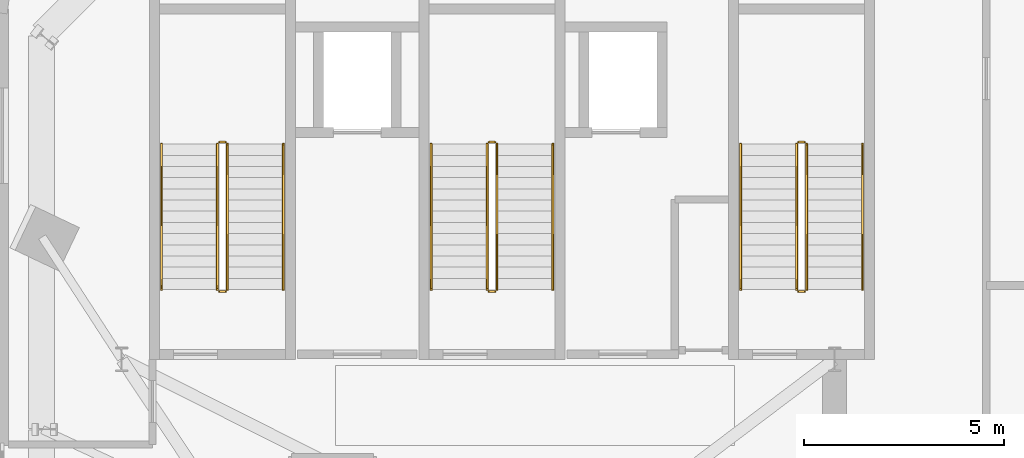
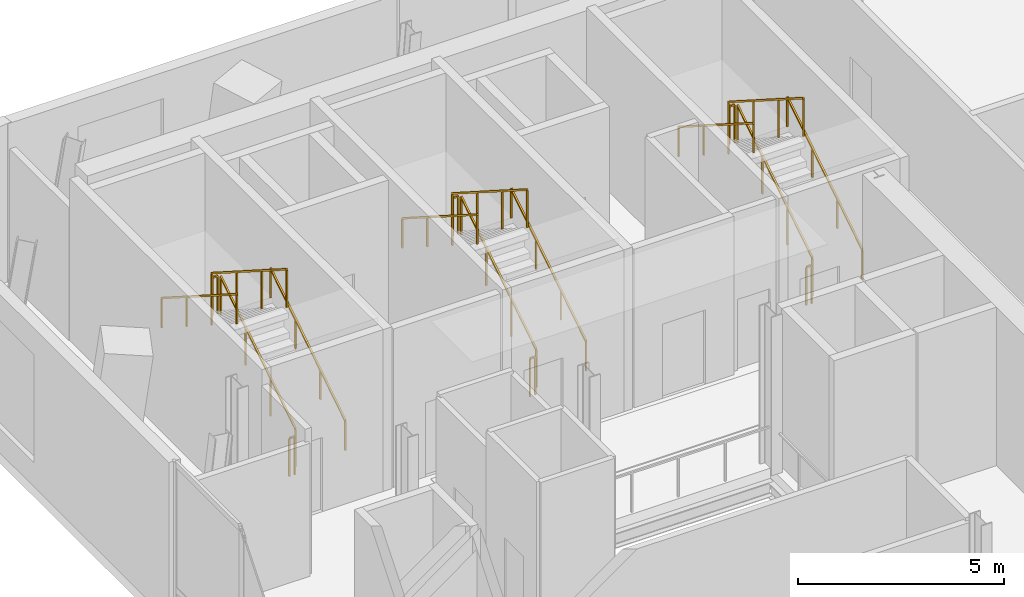
# One storey, part 10 of 11: 18 railings.
"""IFC4 building model written with IfcOpenShell, lengths in metres."""

from ifc_helpers import new_model, si_unit, direction, frame, origin, origin_2d, place, context, subcontext, project, spatial, rectangle, extrude, source, transform, mapped, material, type_object, element, save


model = new_model("IFC4")

# Units and contexts
model_context = context("Model", 3, precision=1e-05, world=origin(), true_north=direction((0.0, 1.0)))
body_context = subcontext(model_context, "Body", "Model", "MODEL_VIEW")
ifc_project = project(units=[si_unit("LENGTHUNIT", "METRE"), si_unit("AREAUNIT", "SQUARE_METRE"), si_unit("VOLUMEUNIT", "CUBIC_METRE"), si_unit("PLANEANGLEUNIT", "RADIAN"), si_unit("MASSUNIT", "GRAM", prefix="KILO")], contexts=[model_context])

# Site, building, storey
site_placement = place(None, origin())
site = spatial("IfcSite", under=ifc_project, at=site_placement, CompositionType="ELEMENT")
building_placement = place(site_placement, origin())
building = spatial("IfcBuilding", under=site, at=building_placement, Name="Vardaveli Station Tower", CompositionType="ELEMENT")
storey_placement = place(building_placement, frame((0.0, 0.0, 296.14990234375)))
storey = spatial("IfcBuildingStorey", under=building, at=storey_placement, Name="L75", CompositionType="ELEMENT", Elevation=296.14990234375)

# Railings
ifc_material = material(Name="Brushed AISI 316 stainless steel", Category="steel")
railing_type_1 = type_object("IfcRailingType", Name="RL-GUARD-1150", PredefinedType="GUARDRAIL", material=ifc_material)
shared_shape_1 = source(origin(), body_context, "Body", "SweptSolid", [
    extrude(rectangle(XDim=0.048095703125, YDim=0.048095703125, at=origin_2d()), frame((0.0, 0.0, 1.1259765625), z_axis=(-1.0, 0.0, 0.0), x_axis=(0.0, -1.0, 0.0)), (0.0, 0.0, 1.0), 0.14990234375),
    extrude(rectangle(XDim=0.0419921875, YDim=0.0419921875, at=origin_2d()), origin(), (0.0, 0.0, 1.0), 1.101806640625),
    extrude(rectangle(XDim=0.0419921875, YDim=0.0419921875, at=origin_2d()), frame((-0.14990234375, 0.0, 0.0)), (0.0, 0.0, 1.0), 1.101806640625),
])
for number, where, name in (
    (1, (31.25, 36.090087890625, 2.5), "L75 ST-1 stair guard 2"),
    (2, (31.25, 32.35009765625, 0.0), "L75 ST-1 stair guard 4"),
    (3, (38.0, 36.090087890625, 2.5), "L75 ST-2 stair guard 2"),
    (4, (38.0, 32.35009765625, 0.0), "L75 ST-2 stair guard 4"),
    (5, (45.75, 36.090087890625, 2.5), "L75 ST-3 stair guard 2"),
    (6, (45.75, 32.35009765625, 0.0), "L75 ST-3 stair guard 4"),
):
    element("IfcRailing", number, at=place(storey_placement, frame(where)), inside=storey, type_object=railing_type_1, Name=name, PredefinedType="GUARDRAIL", context=body_context, shape_type="MappedRepresentation", body=[
        mapped(shared_shape_1, transform((0.0, 0.0, 0.0), scale=1.0)),
    ])
shared_shape_2 = source(origin(), body_context, "Body", "SweptSolid", [
    extrude(rectangle(XDim=0.048095703125, YDim=0.048095703125, at=origin_2d()), frame((0.0, 0.0, 1.1259765625), z_axis=(0.0, 0.843153495434, 0.537672933239), x_axis=(-1.0, 0.0, 0.0)), (0.0, 0.0, 1.0), 4.3173828125),
    extrude(rectangle(XDim=0.0419921875, YDim=0.0419921875, at=origin_2d()), origin(), (0.0, 0.0, 1.0), 1.101806640625),
    extrude(rectangle(XDim=0.0419921875, YDim=0.0419921875, at=origin_2d()), frame((0.0, 1.21337890625, 0.773681640625)), (0.0, 0.0, 1.0), 1.101806640625),
    extrude(rectangle(XDim=0.0419921875, YDim=0.0419921875, at=origin_2d()), frame((0.0, 2.4267578125, 1.547607421875)), (0.0, 0.0, 1.0), 1.101806640625),
    extrude(rectangle(XDim=0.0419921875, YDim=0.0419921875, at=origin_2d()), frame((0.0, 3.64013671875, 2.3212890625)), (0.0, 0.0, 1.0), 1.101806640625),
])
for number, where, name in (
    (7, (31.300048828125, 32.39990234375, 0.1787109375), "L75 ST-1 stair guard 1"),
    (8, (38.050048828125, 32.39990234375, 0.1787109375), "L75 ST-2 stair guard 1"),
    (9, (45.800048828125, 32.39990234375, 0.1787109375), "L75 ST-3 stair guard 1"),
):
    element("IfcRailing", number, at=place(storey_placement, frame(where)), inside=storey, type_object=railing_type_1, Name=name, PredefinedType="GUARDRAIL", context=body_context, shape_type="MappedRepresentation", body=[
        mapped(shared_shape_2, transform((0.0, 0.0, 0.0), scale=1.0)),
    ])
shared_shape_3 = source(origin(), body_context, "Body", "SweptSolid", [
    extrude(rectangle(XDim=0.048095703125, YDim=0.048095703125, at=origin_2d()), frame((0.0, 0.0, 1.1259765625), z_axis=(0.0, -0.843153495434, 0.537672933239), x_axis=(1.0, 0.0, 0.0)), (0.0, 0.0, 1.0), 4.3173828125),
    extrude(rectangle(XDim=0.0419921875, YDim=0.0419921875, at=origin_2d()), origin(), (0.0, 0.0, 1.0), 1.101806640625),
    extrude(rectangle(XDim=0.0419921875, YDim=0.0419921875, at=origin_2d()), frame((0.0, -1.21337890625, 0.773681640625)), (0.0, 0.0, 1.0), 1.101806640625),
    extrude(rectangle(XDim=0.0419921875, YDim=0.0419921875, at=origin_2d()), frame((0.0, -2.4267578125, 1.547607421875)), (0.0, 0.0, 1.0), 1.101806640625),
    extrude(rectangle(XDim=0.0419921875, YDim=0.0419921875, at=origin_2d()), frame((0.0, -3.64013671875, 2.3212890625)), (0.0, 0.0, 1.0), 1.101806640625),
])
for number, where, name in (
    (10, (31.050048828125, 36.0400390625, 2.6787109375), "L75 ST-1 stair guard 3"),
    (11, (37.800048828125, 36.0400390625, 2.6787109375), "L75 ST-2 stair guard 3"),
    (12, (45.550048828125, 36.0400390625, 2.6787109375), "L75 ST-3 stair guard 3"),
):
    element("IfcRailing", number, at=place(storey_placement, frame(where)), inside=storey, type_object=railing_type_1, Name=name, PredefinedType="GUARDRAIL", context=body_context, shape_type="MappedRepresentation", body=[
        mapped(shared_shape_3, transform((0.0, 0.0, 0.0), scale=1.0)),
    ])
railing_type_2 = type_object("IfcRailingType", Name="RL-HAND-900", PredefinedType="HANDRAIL", material=ifc_material)
shared_shape_4 = source(origin(), body_context, "Body", "SweptSolid", [
    extrude(rectangle(XDim=0.048095703125, YDim=0.048095703125, at=origin_2d()), frame((0.0, 0.0, 0.8759765625), z_axis=(0.0, 0.843153495434, 0.537672933239), x_axis=(-1.0, 0.0, 0.0)), (0.0, 0.0, 1.0), 4.3173828125),
    extrude(rectangle(XDim=0.0419921875, YDim=0.0419921875, at=origin_2d()), origin(), (0.0, 0.0, 1.0), 0.851806640625),
    extrude(rectangle(XDim=0.0419921875, YDim=0.0419921875, at=origin_2d()), frame((0.0, 1.21337890625, 0.773681640625)), (0.0, 0.0, 1.0), 0.851806640625),
    extrude(rectangle(XDim=0.0419921875, YDim=0.0419921875, at=origin_2d()), frame((0.0, 2.4267578125, 1.547607421875)), (0.0, 0.0, 1.0), 0.851806640625),
    extrude(rectangle(XDim=0.0419921875, YDim=0.0419921875, at=origin_2d()), frame((0.0, 3.64013671875, 2.3212890625)), (0.0, 0.0, 1.0), 0.851806640625),
])
for number, where, name in (
    (13, (32.699951171875, 32.39990234375, 0.1787109375), "L75 ST-1 stair handrail 1"),
    (14, (39.449951171875, 32.39990234375, 0.1787109375), "L75 ST-2 stair handrail 1"),
    (15, (47.199951171875, 32.39990234375, 0.1787109375), "L75 ST-3 stair handrail 1"),
):
    element("IfcRailing", number, at=place(storey_placement, frame(where)), inside=storey, type_object=railing_type_2, Name=name, PredefinedType="HANDRAIL", context=body_context, shape_type="MappedRepresentation", body=[
        mapped(shared_shape_4, transform((0.0, 0.0, 0.0), scale=1.0)),
    ])
shared_shape_5 = source(origin(), body_context, "Body", "SweptSolid", [
    extrude(rectangle(XDim=0.048095703125, YDim=0.048095703125, at=origin_2d()), frame((0.0, 0.0, 0.8759765625), z_axis=(0.0, -0.843153495434, 0.537672933239), x_axis=(1.0, 0.0, 0.0)), (0.0, 0.0, 1.0), 4.3173828125),
    extrude(rectangle(XDim=0.0419921875, YDim=0.0419921875, at=origin_2d()), origin(), (0.0, 0.0, 1.0), 0.851806640625),
    extrude(rectangle(XDim=0.0419921875, YDim=0.0419921875, at=origin_2d()), frame((0.0, -1.21337890625, 0.773681640625)), (0.0, 0.0, 1.0), 0.851806640625),
    extrude(rectangle(XDim=0.0419921875, YDim=0.0419921875, at=origin_2d()), frame((0.0, -2.4267578125, 1.547607421875)), (0.0, 0.0, 1.0), 0.851806640625),
    extrude(rectangle(XDim=0.0419921875, YDim=0.0419921875, at=origin_2d()), frame((0.0, -3.64013671875, 2.3212890625)), (0.0, 0.0, 1.0), 0.851806640625),
])
for number, where, name in (
    (16, (29.64990234375, 36.0400390625, 2.6787109375), "L75 ST-1 stair handrail 2"),
    (17, (36.39990234375, 36.0400390625, 2.6787109375), "L75 ST-2 stair handrail 2"),
    (18, (44.14990234375, 36.0400390625, 2.6787109375), "L75 ST-3 stair handrail 2"),
):
    element("IfcRailing", number, at=place(storey_placement, frame(where)), inside=storey, type_object=railing_type_2, Name=name, PredefinedType="HANDRAIL", context=body_context, shape_type="MappedRepresentation", body=[
        mapped(shared_shape_5, transform((0.0, 0.0, 0.0), scale=1.0)),
    ])

save(model, "model.ifc")
